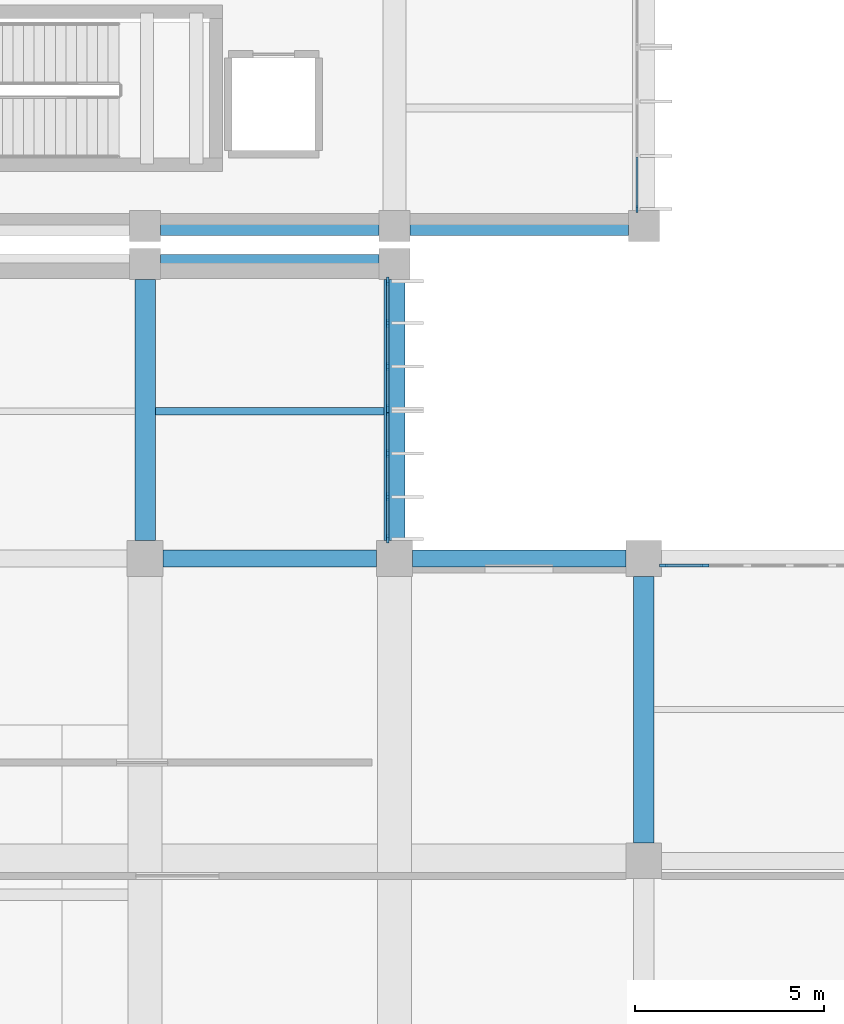
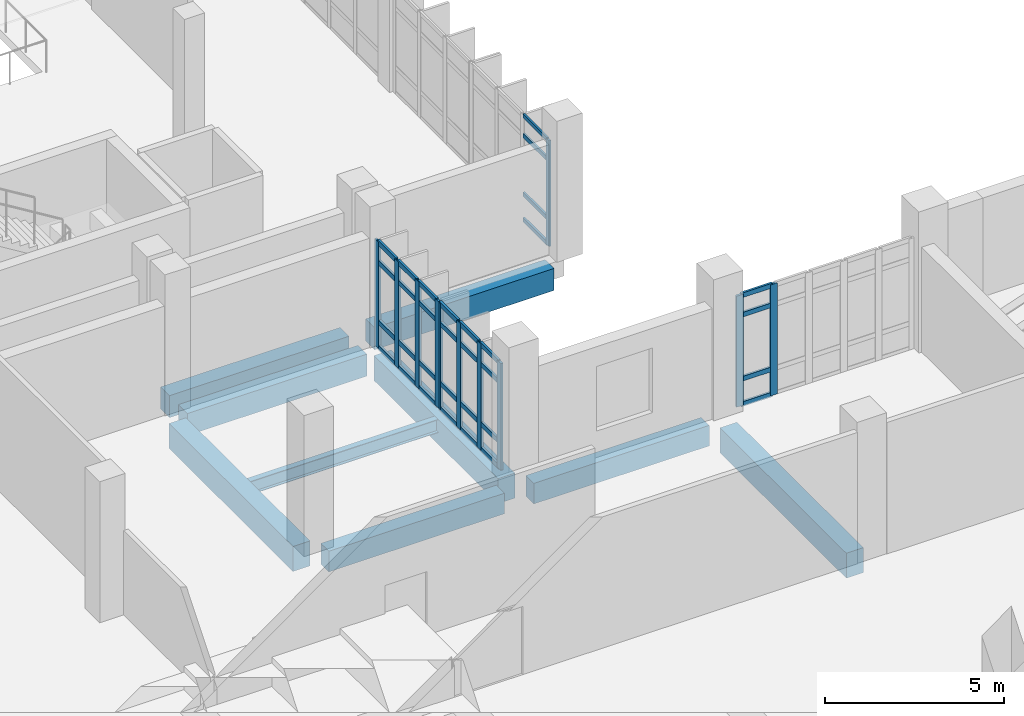
# One storey, part 35 of 90: 43 members, 9 beams, 4 elements without a shape of their own.
"""IFC4 building model written with IfcOpenShell, lengths in metres."""

from ifc_helpers import new_model, si_unit, direction, frame, origin, origin_2d, place, context, subcontext, project, spatial, rectangle, i_section, extrude, material, layer, layer_set, material_profile, profile_set, type_object, element, aggregate, save


model = new_model("IFC4")

# Units and contexts
model_context = context("Model", 3, precision=1e-05, world=origin(), true_north=direction((0.0, 1.0)))
body_context = subcontext(model_context, "Body", "Model", "MODEL_VIEW")
ifc_project = project(units=[si_unit("LENGTHUNIT", "METRE"), si_unit("AREAUNIT", "SQUARE_METRE"), si_unit("VOLUMEUNIT", "CUBIC_METRE"), si_unit("PLANEANGLEUNIT", "RADIAN"), si_unit("MASSUNIT", "GRAM", prefix="KILO")], contexts=[model_context])

# Site, building, storey
site_placement = place(None, origin())
site = spatial("IfcSite", under=ifc_project, at=site_placement, CompositionType="ELEMENT")
building_placement = place(site_placement, origin())
building = spatial("IfcBuilding", under=site, at=building_placement, Name="Kelarvand Opera House", CompositionType="ELEMENT")
storey_placement = place(building_placement, frame((0.0, 0.0, 5.39990234375)))
storey = spatial("IfcBuildingStorey", under=building, at=storey_placement, Name="L01", CompositionType="ELEMENT", Elevation=5.39990234375)

# Curtain wall, member
ifc_material_1 = material(Name="Thermally broken aluminium and low-E glazing", Category="aluminium")
ifc_layer_1 = layer(ifc_material_1, 0.179931640625, Name="Thermally broken aluminium and low-E glazing", Category="aluminium")
ifc_layer_set_1 = layer_set([ifc_layer_1], Name="Thermally broken aluminium and low-E glazing")
curtain_wall_type_1 = type_object("IfcCurtainWallType", Name="Unitised Low-E Curtain Wall 4318x3600 Mod 1450 CWF-43", PredefinedType="USERDEFINED", material=ifc_layer_set_1)
curtain_wall_1_placement = place(storey_placement, origin())
curtain_wall_1 = element("IfcCurtainWall", 1, at=curtain_wall_1_placement, inside=storey, type_object=curtain_wall_type_1, Name="V5 L01 Curtain Wall CWF-43 (179)", ObjectType="UNITISED CURTAIN WALL", PredefinedType="USERDEFINED")
ifc_material_2 = material(Name="Thermally broken anodised aluminium", Category="aluminium")
ifc_material_profile_1 = material_profile(ifc_material_2, rectangle(XDim=0.06494140625, YDim=0.179931640625, at=origin_2d()), Name="ALU MULLION 65x180", Category="aluminium")
ifc_profile_set_1 = profile_set([ifc_material_profile_1], Name="Thermally broken anodised aluminium")
member_type_1 = type_object("IfcMemberType", Name="Curtain Wall Mullion 65x180 Aluminium", PredefinedType="MULLION", material=ifc_profile_set_1)
member_1_placement = place(storey_placement, frame((135.02001953125, 87.652587890625, 0.0), z_axis=(0.0, 0.0, 1.0), x_axis=(1.0, 0.0, 0.0)))
member_1 = element("IfcMember", 2, at=member_1_placement, type_object=member_type_1, Name="CWF-43 mullion 4", PredefinedType="MULLION", context=body_context, shape_type="SweptSolid", body=[
    extrude(rectangle(XDim=0.06494140625, YDim=0.179931640625, at=origin_2d()), origin(), (0.0, 0.0, 1.0), 3.60009765625),
])

# Curtain wall, members
ifc_layer_2 = layer(ifc_material_1, 0.219970703125, Name="Thermally broken aluminium and low-E glazing", Category="aluminium")
ifc_layer_set_2 = layer_set([ifc_layer_2], Name="Thermally broken aluminium and low-E glazing")
curtain_wall_type_2 = type_object("IfcCurtainWallType", Name="Unitised Low-E Curtain Wall 3444x3630 Mod 1150 CWF-02", PredefinedType="USERDEFINED", material=ifc_layer_set_2)
curtain_wall_2_placement = place(storey_placement, origin())
curtain_wall_2 = element("IfcCurtainWall", 3, at=curtain_wall_2_placement, inside=storey, type_object=curtain_wall_type_2, Name="V1 L01 Curtain Wall CWF-02 (5)", ObjectType="UNITISED CURTAIN WALL", PredefinedType="USERDEFINED")
ifc_material_profile_2 = material_profile(ifc_material_2, rectangle(XDim=0.074951171875, YDim=0.219970703125, at=origin_2d()), Name="ALU MULLION 75x220", Category="aluminium")
ifc_profile_set_2 = profile_set([ifc_material_profile_2], Name="Thermally broken anodised aluminium")
member_type_2 = type_object("IfcMemberType", Name="Curtain Wall Mullion 75x220 Heavy Plaza", PredefinedType="MULLION", material=ifc_profile_set_2)
member_2_placement = place(storey_placement, frame((128.419921875, 85.742431640625, 0.0), z_axis=(0.0, 0.0, 1.0), x_axis=(1.0, 0.0, 0.0)))
member_2 = element("IfcMember", 4, at=member_2_placement, type_object=member_type_2, Name="CWF-02 mullion 1", PredefinedType="MULLION", context=body_context, shape_type="SweptSolid", body=[
    extrude(rectangle(XDim=0.074951171875, YDim=0.219970703125, at=origin_2d()), origin(), (0.0, 0.0, 1.0), 3.630126953125),
])
member_3_placement = place(storey_placement, frame((128.419921875, 84.632080078125, 0.0), z_axis=(0.0, 0.0, 1.0), x_axis=(1.0, 0.0, 0.0)))
member_3 = element("IfcMember", 5, at=member_3_placement, type_object=member_type_2, Name="CWF-02 mullion 2", PredefinedType="MULLION", context=body_context, shape_type="SweptSolid", body=[
    extrude(rectangle(XDim=0.074951171875, YDim=0.219970703125, at=origin_2d()), origin(), (0.0, 0.0, 1.0), 3.630126953125),
])
member_4_placement = place(storey_placement, frame((128.419921875, 83.484375, 0.0), z_axis=(0.0, 0.0, 1.0), x_axis=(1.0, 0.0, 0.0)))
member_4 = element("IfcMember", 6, at=member_4_placement, type_object=member_type_2, Name="CWF-02 mullion 3", PredefinedType="MULLION", context=body_context, shape_type="SweptSolid", body=[
    extrude(rectangle(XDim=0.074951171875, YDim=0.219970703125, at=origin_2d()), origin(), (0.0, 0.0, 1.0), 3.630126953125),
])
member_5_placement = place(storey_placement, frame((128.419921875, 82.3740234375, 0.0), z_axis=(0.0, 0.0, 1.0), x_axis=(1.0, 0.0, 0.0)))
member_5 = element("IfcMember", 7, at=member_5_placement, type_object=member_type_2, Name="CWF-02 mullion 4", PredefinedType="MULLION", context=body_context, shape_type="SweptSolid", body=[
    extrude(rectangle(XDim=0.074951171875, YDim=0.219970703125, at=origin_2d()), origin(), (0.0, 0.0, 1.0), 3.630126953125),
])

curtain_wall_3_placement = place(storey_placement, origin())
curtain_wall_3 = element("IfcCurtainWall", 8, at=curtain_wall_3_placement, inside=storey, type_object=curtain_wall_type_2, Name="V1 L01 Curtain Wall CWF-02 (6)", ObjectType="UNITISED CURTAIN WALL", PredefinedType="USERDEFINED")
member_6_placement = place(storey_placement, frame((128.419921875, 82.294921875, 0.0), z_axis=(0.0, 0.0, 1.0), x_axis=(1.0, 0.0, 0.0)))
member_6 = element("IfcMember", 9, at=member_6_placement, type_object=member_type_2, Name="CWF-02 mullion 1", PredefinedType="MULLION", context=body_context, shape_type="SweptSolid", body=[
    extrude(rectangle(XDim=0.074951171875, YDim=0.219970703125, at=origin_2d()), origin(), (0.0, 0.0, 1.0), 3.630126953125),
])
member_7_placement = place(storey_placement, frame((128.419921875, 81.183349609375, 0.0), z_axis=(0.0, 0.0, 1.0), x_axis=(1.0, 0.0, 0.0)))
member_7 = element("IfcMember", 10, at=member_7_placement, type_object=member_type_2, Name="CWF-02 mullion 2", PredefinedType="MULLION", context=body_context, shape_type="SweptSolid", body=[
    extrude(rectangle(XDim=0.074951171875, YDim=0.219970703125, at=origin_2d()), origin(), (0.0, 0.0, 1.0), 3.630126953125),
])
member_8_placement = place(storey_placement, frame((128.419921875, 80.0341796875, 0.0), z_axis=(0.0, 0.0, 1.0), x_axis=(1.0, 0.0, 0.0)))
member_8 = element("IfcMember", 11, at=member_8_placement, type_object=member_type_2, Name="CWF-02 mullion 3", PredefinedType="MULLION", context=body_context, shape_type="SweptSolid", body=[
    extrude(rectangle(XDim=0.074951171875, YDim=0.219970703125, at=origin_2d()), origin(), (0.0, 0.0, 1.0), 3.630126953125),
])
member_9_placement = place(storey_placement, frame((128.419921875, 78.922607421875, 0.0), z_axis=(0.0, 0.0, 1.0), x_axis=(1.0, 0.0, 0.0)))
member_9 = element("IfcMember", 12, at=member_9_placement, type_object=member_type_2, Name="CWF-02 mullion 4", PredefinedType="MULLION", context=body_context, shape_type="SweptSolid", body=[
    extrude(rectangle(XDim=0.074951171875, YDim=0.219970703125, at=origin_2d()), origin(), (0.0, 0.0, 1.0), 3.630126953125),
])

ifc_layer_3 = layer(ifc_material_1, 0.219970703125, Name="Thermally broken aluminium and low-E glazing", Category="aluminium")
ifc_layer_set_3 = layer_set([ifc_layer_3], Name="Thermally broken aluminium and low-E glazing")
curtain_wall_type_3 = type_object("IfcCurtainWallType", Name="Unitised Low-E Curtain Wall 5630x3780 Mod 1150 CWF-03", PredefinedType="USERDEFINED", material=ifc_layer_set_3)
curtain_wall_4_placement = place(storey_placement, origin())
curtain_wall_4 = element("IfcCurtainWall", 13, at=curtain_wall_4_placement, inside=storey, type_object=curtain_wall_type_3, Name="V1 L01 Curtain Wall CWF-03 (7)", ObjectType="UNITISED CURTAIN WALL", PredefinedType="USERDEFINED")
member_10_placement = place(storey_placement, frame((135.722412109375, 78.219970703125, 0.0), z_axis=(0.0, 0.0, 1.0), x_axis=(0.0, 1.0, 0.0)))
member_10 = element("IfcMember", 14, at=member_10_placement, type_object=member_type_2, Name="CWF-03 mullion 1", PredefinedType="MULLION", context=body_context, shape_type="SweptSolid", body=[
    extrude(rectangle(XDim=0.074951171875, YDim=0.219970703125, at=origin_2d()), origin(), (0.0, 0.0, 1.0), 3.780029296875),
])
member_11_placement = place(storey_placement, frame((136.81103515625, 78.219970703125, 0.0), z_axis=(0.0, 0.0, 1.0), x_axis=(0.0, 1.0, 0.0)))
member_11 = element("IfcMember", 15, at=member_11_placement, type_object=member_type_2, Name="CWF-03 mullion 2", PredefinedType="MULLION", context=body_context, shape_type="SweptSolid", body=[
    extrude(rectangle(XDim=0.074951171875, YDim=0.219970703125, at=origin_2d()), origin(), (0.0, 0.0, 1.0), 3.780029296875),
])

# Member
ifc_material_profile_3 = material_profile(ifc_material_2, rectangle(XDim=0.06494140625, YDim=0.139892578125, at=origin_2d()), Name="ALU TRANSOM 65x140", Category="aluminium")
ifc_profile_set_3 = profile_set([ifc_material_profile_3], Name="Thermally broken anodised aluminium")
member_type_3 = type_object("IfcMemberType", Name="Curtain Wall Transom 65x140 Aluminium", PredefinedType="USERDEFINED", material=ifc_profile_set_3)
member_12_placement = place(storey_placement, frame((135.02001953125, 89.0283203125, 0.03271484375), z_axis=(0.0, -1.0, 0.0), x_axis=(1.0, 0.0, 0.0)))
member_12 = element("IfcMember", 16, at=member_12_placement, type_object=member_type_3, Name="CWF-43 transom 3.1", ObjectType="TRANSOM", PredefinedType="USERDEFINED", context=body_context, shape_type="SweptSolid", body=[
    extrude(rectangle(XDim=0.06494140625, YDim=0.139892578125, at=origin_2d()), origin(), (0.0, 0.0, 1.0), 1.34326171875),
])

member_13_placement = place(storey_placement, frame((135.02001953125, 89.0283203125, 0.900146484375), z_axis=(0.0, -1.0, 0.0), x_axis=(1.0, 0.0, 0.0)))
member_13 = element("IfcMember", 17, at=member_13_placement, type_object=member_type_3, Name="CWF-43 transom 3.2", ObjectType="TRANSOM", PredefinedType="USERDEFINED", context=body_context, shape_type="SweptSolid", body=[
    extrude(rectangle(XDim=0.06494140625, YDim=0.139892578125, at=origin_2d()), origin(), (0.0, 0.0, 1.0), 1.34326171875),
])

member_14_placement = place(storey_placement, frame((135.02001953125, 89.0283203125, 2.900146484375), z_axis=(0.0, -1.0, 0.0), x_axis=(1.0, 0.0, 0.0)))
member_14 = element("IfcMember", 18, at=member_14_placement, type_object=member_type_3, Name="CWF-43 transom 3.3", ObjectType="TRANSOM", PredefinedType="USERDEFINED", context=body_context, shape_type="SweptSolid", body=[
    extrude(rectangle(XDim=0.06494140625, YDim=0.139892578125, at=origin_2d()), origin(), (0.0, 0.0, 1.0), 1.34326171875),
])

member_15_placement = place(storey_placement, frame((135.02001953125, 89.0283203125, 3.567626953125), z_axis=(0.0, -1.0, 0.0), x_axis=(1.0, 0.0, 0.0)))
member_15 = element("IfcMember", 19, at=member_15_placement, type_object=member_type_3, Name="CWF-43 transom 3.4", ObjectType="TRANSOM", PredefinedType="USERDEFINED", context=body_context, shape_type="SweptSolid", body=[
    extrude(rectangle(XDim=0.06494140625, YDim=0.139892578125, at=origin_2d()), origin(), (0.0, 0.0, 1.0), 1.34326171875),
])

aggregate(curtain_wall_1, [member_1, member_12, member_13, member_14, member_15])

ifc_material_profile_4 = material_profile(ifc_material_2, rectangle(XDim=0.074951171875, YDim=0.159912109375, at=origin_2d()), Name="ALU TRANSOM 75x160", Category="aluminium")
ifc_profile_set_4 = profile_set([ifc_material_profile_4], Name="Thermally broken anodised aluminium")
member_type_4 = type_object("IfcMemberType", Name="Curtain Wall Transom 75x160 Heavy Plaza", PredefinedType="USERDEFINED", material=ifc_profile_set_4)
member_16_placement = place(storey_placement, frame((128.419921875, 85.705078125, 0.03759765625), z_axis=(0.0, -1.0, 0.0), x_axis=(1.0, 0.0, 0.0)))
member_16 = element("IfcMember", 20, at=member_16_placement, type_object=member_type_4, Name="CWF-02 transom 1.1", ObjectType="TRANSOM", PredefinedType="USERDEFINED", context=body_context, shape_type="SweptSolid", body=[
    extrude(rectangle(XDim=0.074951171875, YDim=0.159912109375, at=origin_2d()), origin(), (0.0, 0.0, 1.0), 1.035400390625),
])

member_17_placement = place(storey_placement, frame((128.419921875, 85.705078125, 0.900146484375), z_axis=(0.0, -1.0, 0.0), x_axis=(1.0, 0.0, 0.0)))
member_17 = element("IfcMember", 21, at=member_17_placement, type_object=member_type_4, Name="CWF-02 transom 1.2", ObjectType="TRANSOM", PredefinedType="USERDEFINED", context=body_context, shape_type="SweptSolid", body=[
    extrude(rectangle(XDim=0.074951171875, YDim=0.159912109375, at=origin_2d()), origin(), (0.0, 0.0, 1.0), 1.035400390625),
])

member_18_placement = place(storey_placement, frame((128.419921875, 85.705078125, 2.93017578125), z_axis=(0.0, -1.0, 0.0), x_axis=(1.0, 0.0, 0.0)))
member_18 = element("IfcMember", 22, at=member_18_placement, type_object=member_type_4, Name="CWF-02 transom 1.3", ObjectType="TRANSOM", PredefinedType="USERDEFINED", context=body_context, shape_type="SweptSolid", body=[
    extrude(rectangle(XDim=0.074951171875, YDim=0.159912109375, at=origin_2d()), origin(), (0.0, 0.0, 1.0), 1.035400390625),
])

member_19_placement = place(storey_placement, frame((128.419921875, 85.705078125, 3.592529296875), z_axis=(0.0, -1.0, 0.0), x_axis=(1.0, 0.0, 0.0)))
member_19 = element("IfcMember", 23, at=member_19_placement, type_object=member_type_4, Name="CWF-02 transom 1.4", ObjectType="TRANSOM", PredefinedType="USERDEFINED", context=body_context, shape_type="SweptSolid", body=[
    extrude(rectangle(XDim=0.074951171875, YDim=0.159912109375, at=origin_2d()), origin(), (0.0, 0.0, 1.0), 1.035400390625),
])

member_20_placement = place(storey_placement, frame((128.419921875, 84.5947265625, 0.03759765625), z_axis=(0.0, -1.0, 0.0), x_axis=(1.0, 0.0, 0.0)))
member_20 = element("IfcMember", 24, at=member_20_placement, type_object=member_type_4, Name="CWF-02 transom 2.1", ObjectType="TRANSOM", PredefinedType="USERDEFINED", context=body_context, shape_type="SweptSolid", body=[
    extrude(rectangle(XDim=0.074951171875, YDim=0.159912109375, at=origin_2d()), origin(), (0.0, 0.0, 1.0), 1.072998046875),
])

member_21_placement = place(storey_placement, frame((128.419921875, 84.5947265625, 0.900146484375), z_axis=(0.0, -1.0, 0.0), x_axis=(1.0, 0.0, 0.0)))
member_21 = element("IfcMember", 25, at=member_21_placement, type_object=member_type_4, Name="CWF-02 transom 2.2", ObjectType="TRANSOM", PredefinedType="USERDEFINED", context=body_context, shape_type="SweptSolid", body=[
    extrude(rectangle(XDim=0.074951171875, YDim=0.159912109375, at=origin_2d()), origin(), (0.0, 0.0, 1.0), 1.072998046875),
])

member_22_placement = place(storey_placement, frame((128.419921875, 84.5947265625, 2.93017578125), z_axis=(0.0, -1.0, 0.0), x_axis=(1.0, 0.0, 0.0)))
member_22 = element("IfcMember", 26, at=member_22_placement, type_object=member_type_4, Name="CWF-02 transom 2.3", ObjectType="TRANSOM", PredefinedType="USERDEFINED", context=body_context, shape_type="SweptSolid", body=[
    extrude(rectangle(XDim=0.074951171875, YDim=0.159912109375, at=origin_2d()), origin(), (0.0, 0.0, 1.0), 1.072998046875),
])

member_23_placement = place(storey_placement, frame((128.419921875, 84.5947265625, 3.592529296875), z_axis=(0.0, -1.0, 0.0), x_axis=(1.0, 0.0, 0.0)))
member_23 = element("IfcMember", 27, at=member_23_placement, type_object=member_type_4, Name="CWF-02 transom 2.4", ObjectType="TRANSOM", PredefinedType="USERDEFINED", context=body_context, shape_type="SweptSolid", body=[
    extrude(rectangle(XDim=0.074951171875, YDim=0.159912109375, at=origin_2d()), origin(), (0.0, 0.0, 1.0), 1.072998046875),
])

member_24_placement = place(storey_placement, frame((128.419921875, 83.44677734375, 0.03759765625), z_axis=(0.0, -1.0, 0.0), x_axis=(1.0, 0.0, 0.0)))
member_24 = element("IfcMember", 28, at=member_24_placement, type_object=member_type_4, Name="CWF-02 transom 3.1", ObjectType="TRANSOM", PredefinedType="USERDEFINED", context=body_context, shape_type="SweptSolid", body=[
    extrude(rectangle(XDim=0.074951171875, YDim=0.159912109375, at=origin_2d()), origin(), (0.0, 0.0, 1.0), 1.03515625),
])

member_25_placement = place(storey_placement, frame((128.419921875, 83.44677734375, 0.900146484375), z_axis=(0.0, -1.0, 0.0), x_axis=(1.0, 0.0, 0.0)))
member_25 = element("IfcMember", 29, at=member_25_placement, type_object=member_type_4, Name="CWF-02 transom 3.2", ObjectType="TRANSOM", PredefinedType="USERDEFINED", context=body_context, shape_type="SweptSolid", body=[
    extrude(rectangle(XDim=0.074951171875, YDim=0.159912109375, at=origin_2d()), origin(), (0.0, 0.0, 1.0), 1.03515625),
])

member_26_placement = place(storey_placement, frame((128.419921875, 83.44677734375, 2.93017578125), z_axis=(0.0, -1.0, 0.0), x_axis=(1.0, 0.0, 0.0)))
member_26 = element("IfcMember", 30, at=member_26_placement, type_object=member_type_4, Name="CWF-02 transom 3.3", ObjectType="TRANSOM", PredefinedType="USERDEFINED", context=body_context, shape_type="SweptSolid", body=[
    extrude(rectangle(XDim=0.074951171875, YDim=0.159912109375, at=origin_2d()), origin(), (0.0, 0.0, 1.0), 1.03515625),
])

member_27_placement = place(storey_placement, frame((128.419921875, 83.44677734375, 3.592529296875), z_axis=(0.0, -1.0, 0.0), x_axis=(1.0, 0.0, 0.0)))
member_27 = element("IfcMember", 31, at=member_27_placement, type_object=member_type_4, Name="CWF-02 transom 3.4", ObjectType="TRANSOM", PredefinedType="USERDEFINED", context=body_context, shape_type="SweptSolid", body=[
    extrude(rectangle(XDim=0.074951171875, YDim=0.159912109375, at=origin_2d()), origin(), (0.0, 0.0, 1.0), 1.03515625),
])

aggregate(curtain_wall_2, [member_2, member_3, member_4, member_5, member_16, member_17, member_18, member_19, member_20, member_21, member_22, member_23, member_24, member_25, member_26, member_27])

member_28_placement = place(storey_placement, frame((128.419921875, 82.257568359375, 0.03759765625), z_axis=(0.0, -1.0, 0.0), x_axis=(1.0, 0.0, 0.0)))
member_28 = element("IfcMember", 32, at=member_28_placement, type_object=member_type_4, Name="CWF-02 transom 1.1", ObjectType="TRANSOM", PredefinedType="USERDEFINED", context=body_context, shape_type="SweptSolid", body=[
    extrude(rectangle(XDim=0.074951171875, YDim=0.159912109375, at=origin_2d()), origin(), (0.0, 0.0, 1.0), 1.03662109375),
])

member_29_placement = place(storey_placement, frame((128.419921875, 82.257568359375, 0.900146484375), z_axis=(0.0, -1.0, 0.0), x_axis=(1.0, 0.0, 0.0)))
member_29 = element("IfcMember", 33, at=member_29_placement, type_object=member_type_4, Name="CWF-02 transom 1.2", ObjectType="TRANSOM", PredefinedType="USERDEFINED", context=body_context, shape_type="SweptSolid", body=[
    extrude(rectangle(XDim=0.074951171875, YDim=0.159912109375, at=origin_2d()), origin(), (0.0, 0.0, 1.0), 1.03662109375),
])

member_30_placement = place(storey_placement, frame((128.419921875, 82.257568359375, 2.93017578125), z_axis=(0.0, -1.0, 0.0), x_axis=(1.0, 0.0, 0.0)))
member_30 = element("IfcMember", 34, at=member_30_placement, type_object=member_type_4, Name="CWF-02 transom 1.3", ObjectType="TRANSOM", PredefinedType="USERDEFINED", context=body_context, shape_type="SweptSolid", body=[
    extrude(rectangle(XDim=0.074951171875, YDim=0.159912109375, at=origin_2d()), origin(), (0.0, 0.0, 1.0), 1.03662109375),
])

member_31_placement = place(storey_placement, frame((128.419921875, 82.257568359375, 3.592529296875), z_axis=(0.0, -1.0, 0.0), x_axis=(1.0, 0.0, 0.0)))
member_31 = element("IfcMember", 35, at=member_31_placement, type_object=member_type_4, Name="CWF-02 transom 1.4", ObjectType="TRANSOM", PredefinedType="USERDEFINED", context=body_context, shape_type="SweptSolid", body=[
    extrude(rectangle(XDim=0.074951171875, YDim=0.159912109375, at=origin_2d()), origin(), (0.0, 0.0, 1.0), 1.03662109375),
])

member_32_placement = place(storey_placement, frame((128.419921875, 81.145751953125, 0.03759765625), z_axis=(0.0, -1.0, 0.0), x_axis=(1.0, 0.0, 0.0)))
member_32 = element("IfcMember", 36, at=member_32_placement, type_object=member_type_4, Name="CWF-02 transom 2.1", ObjectType="TRANSOM", PredefinedType="USERDEFINED", context=body_context, shape_type="SweptSolid", body=[
    extrude(rectangle(XDim=0.074951171875, YDim=0.159912109375, at=origin_2d()), origin(), (0.0, 0.0, 1.0), 1.073974609375),
])

member_33_placement = place(storey_placement, frame((128.419921875, 81.145751953125, 0.900146484375), z_axis=(0.0, -1.0, 0.0), x_axis=(1.0, 0.0, 0.0)))
member_33 = element("IfcMember", 37, at=member_33_placement, type_object=member_type_4, Name="CWF-02 transom 2.2", ObjectType="TRANSOM", PredefinedType="USERDEFINED", context=body_context, shape_type="SweptSolid", body=[
    extrude(rectangle(XDim=0.074951171875, YDim=0.159912109375, at=origin_2d()), origin(), (0.0, 0.0, 1.0), 1.073974609375),
])

member_34_placement = place(storey_placement, frame((128.419921875, 81.145751953125, 2.93017578125), z_axis=(0.0, -1.0, 0.0), x_axis=(1.0, 0.0, 0.0)))
member_34 = element("IfcMember", 38, at=member_34_placement, type_object=member_type_4, Name="CWF-02 transom 2.3", ObjectType="TRANSOM", PredefinedType="USERDEFINED", context=body_context, shape_type="SweptSolid", body=[
    extrude(rectangle(XDim=0.074951171875, YDim=0.159912109375, at=origin_2d()), origin(), (0.0, 0.0, 1.0), 1.073974609375),
])

member_35_placement = place(storey_placement, frame((128.419921875, 81.145751953125, 3.592529296875), z_axis=(0.0, -1.0, 0.0), x_axis=(1.0, 0.0, 0.0)))
member_35 = element("IfcMember", 39, at=member_35_placement, type_object=member_type_4, Name="CWF-02 transom 2.4", ObjectType="TRANSOM", PredefinedType="USERDEFINED", context=body_context, shape_type="SweptSolid", body=[
    extrude(rectangle(XDim=0.074951171875, YDim=0.159912109375, at=origin_2d()), origin(), (0.0, 0.0, 1.0), 1.073974609375),
])

member_36_placement = place(storey_placement, frame((128.419921875, 79.99658203125, 0.03759765625), z_axis=(0.0, -1.0, 0.0), x_axis=(1.0, 0.0, 0.0)))
member_36 = element("IfcMember", 40, at=member_36_placement, type_object=member_type_4, Name="CWF-02 transom 3.1", ObjectType="TRANSOM", PredefinedType="USERDEFINED", context=body_context, shape_type="SweptSolid", body=[
    extrude(rectangle(XDim=0.074951171875, YDim=0.159912109375, at=origin_2d()), origin(), (0.0, 0.0, 1.0), 1.03662109375),
])

member_37_placement = place(storey_placement, frame((128.419921875, 79.99658203125, 0.900146484375), z_axis=(0.0, -1.0, 0.0), x_axis=(1.0, 0.0, 0.0)))
member_37 = element("IfcMember", 41, at=member_37_placement, type_object=member_type_4, Name="CWF-02 transom 3.2", ObjectType="TRANSOM", PredefinedType="USERDEFINED", context=body_context, shape_type="SweptSolid", body=[
    extrude(rectangle(XDim=0.074951171875, YDim=0.159912109375, at=origin_2d()), origin(), (0.0, 0.0, 1.0), 1.03662109375),
])

member_38_placement = place(storey_placement, frame((128.419921875, 79.99658203125, 2.93017578125), z_axis=(0.0, -1.0, 0.0), x_axis=(1.0, 0.0, 0.0)))
member_38 = element("IfcMember", 42, at=member_38_placement, type_object=member_type_4, Name="CWF-02 transom 3.3", ObjectType="TRANSOM", PredefinedType="USERDEFINED", context=body_context, shape_type="SweptSolid", body=[
    extrude(rectangle(XDim=0.074951171875, YDim=0.159912109375, at=origin_2d()), origin(), (0.0, 0.0, 1.0), 1.03662109375),
])

member_39_placement = place(storey_placement, frame((128.419921875, 79.99658203125, 3.592529296875), z_axis=(0.0, -1.0, 0.0), x_axis=(1.0, 0.0, 0.0)))
member_39 = element("IfcMember", 43, at=member_39_placement, type_object=member_type_4, Name="CWF-02 transom 3.4", ObjectType="TRANSOM", PredefinedType="USERDEFINED", context=body_context, shape_type="SweptSolid", body=[
    extrude(rectangle(XDim=0.074951171875, YDim=0.159912109375, at=origin_2d()), origin(), (0.0, 0.0, 1.0), 1.03662109375),
])

aggregate(curtain_wall_3, [member_6, member_7, member_8, member_9, member_28, member_29, member_30, member_31, member_32, member_33, member_34, member_35, member_36, member_37, member_38, member_39])

member_40_placement = place(storey_placement, frame((135.760009765625, 78.219970703125, 0.03759765625), z_axis=(1.0, 0.0, 0.0), x_axis=(0.0, 1.0, 0.0)))
member_40 = element("IfcMember", 44, at=member_40_placement, type_object=member_type_4, Name="CWF-03 transom 1.1", ObjectType="TRANSOM", PredefinedType="USERDEFINED", context=body_context, shape_type="SweptSolid", body=[
    extrude(rectangle(XDim=0.074951171875, YDim=0.159912109375, at=origin_2d()), origin(), (0.0, 0.0, 1.0), 1.013427734375),
])

member_41_placement = place(storey_placement, frame((135.760009765625, 78.219970703125, 0.900146484375), z_axis=(1.0, 0.0, 0.0), x_axis=(0.0, 1.0, 0.0)))
member_41 = element("IfcMember", 45, at=member_41_placement, type_object=member_type_4, Name="CWF-03 transom 1.2", ObjectType="TRANSOM", PredefinedType="USERDEFINED", context=body_context, shape_type="SweptSolid", body=[
    extrude(rectangle(XDim=0.074951171875, YDim=0.159912109375, at=origin_2d()), origin(), (0.0, 0.0, 1.0), 1.013427734375),
])

member_42_placement = place(storey_placement, frame((135.760009765625, 78.219970703125, 3.080078125), z_axis=(1.0, 0.0, 0.0), x_axis=(0.0, 1.0, 0.0)))
member_42 = element("IfcMember", 46, at=member_42_placement, type_object=member_type_4, Name="CWF-03 transom 1.3", ObjectType="TRANSOM", PredefinedType="USERDEFINED", context=body_context, shape_type="SweptSolid", body=[
    extrude(rectangle(XDim=0.074951171875, YDim=0.159912109375, at=origin_2d()), origin(), (0.0, 0.0, 1.0), 1.013427734375),
])

member_43_placement = place(storey_placement, frame((135.760009765625, 78.219970703125, 3.74267578125), z_axis=(1.0, 0.0, 0.0), x_axis=(0.0, 1.0, 0.0)))
member_43 = element("IfcMember", 47, at=member_43_placement, type_object=member_type_4, Name="CWF-03 transom 1.4", ObjectType="TRANSOM", PredefinedType="USERDEFINED", context=body_context, shape_type="SweptSolid", body=[
    extrude(rectangle(XDim=0.074951171875, YDim=0.159912109375, at=origin_2d()), origin(), (0.0, 0.0, 1.0), 1.013427734375),
])

aggregate(curtain_wall_4, [member_10, member_11, member_40, member_41, member_42, member_43])

# Beams
ifc_material_3 = material(Name="Concrete C40/50", Category="concrete")
ifc_material_profile_5 = material_profile(ifc_material_3, rectangle(XDim=0.449951171875, YDim=0.699951171875, at=origin_2d()), Name="RC 450x700", Category="concrete")
ifc_profile_set_5 = profile_set([ifc_material_profile_5], Name="Concrete C40/50")
beam_type_1 = type_object("IfcBeamType", Name="Structural Beam RC 450x700 BM-RC450x700", PredefinedType="BEAM", material=ifc_profile_set_5)
beam_1_placement = place(storey_placement, frame((122.47509765625, 78.39990234375, -0.64990234375), z_axis=(1.0, 0.0, 0.0), x_axis=(0.0, 1.0, 0.0)))
element("IfcBeam", 48, at=beam_1_placement, inside=storey, type_object=beam_type_1, Name="V1 L01 Beam BM-RC450x700", PredefinedType="BEAM", context=body_context, shape_type="SweptSolid", body=[
    extrude(rectangle(XDim=0.449951171875, YDim=0.699951171875, at=origin_2d()), origin(), (0.0, 0.0, 1.0), 5.64990234375),
])
beam_2_placement = place(storey_placement, frame((129.074951171875, 78.39990234375, -0.64990234375), z_axis=(1.0, 0.0, 0.0), x_axis=(0.0, 1.0, 0.0)))
element("IfcBeam", 49, at=beam_2_placement, inside=storey, type_object=beam_type_1, Name="V1 L01 Beam BM-RC450x700", PredefinedType="BEAM", context=body_context, shape_type="SweptSolid", body=[
    extrude(rectangle(XDim=0.449951171875, YDim=0.699951171875, at=origin_2d()), origin(), (0.0, 0.0, 1.0), 5.650146484375),
])
ifc_material_profile_6 = material_profile(ifc_material_3, rectangle(XDim=0.550048828125, YDim=0.85009765625, at=origin_2d()), Name="RC 550x850", Category="concrete")
ifc_profile_set_6 = profile_set([ifc_material_profile_6], Name="Concrete C40/50")
beam_type_2 = type_object("IfcBeamType", Name="Structural Beam RC 550x850 BM-RC550x850", PredefinedType="BEAM", material=ifc_profile_set_6)
for number, where, z_axis, x_axis, name in (
    (50, (122.0, 78.875, -0.724853515625), (0.0, 1.0, 0.0), (-1.0, 0.0, 0.0), "V1 L01 Beam BM-RC550x850"),
    (51, (128.60009765625, 78.875, -0.724853515625), (0.0, 1.0, 0.0), (-1.0, 0.0, 0.0), "V1 L01 Beam BM-RC550x850"),
):
    element("IfcBeam", number, at=place(storey_placement, frame(where, z_axis=z_axis, x_axis=x_axis)), inside=storey, type_object=beam_type_2, Name=name, PredefinedType="BEAM", context=body_context, shape_type="SweptSolid", body=[
        extrude(rectangle(XDim=0.550048828125, YDim=0.85009765625, at=origin_2d()), origin(), (0.0, 0.0, 1.0), 6.9150390625),
    ])
beam_3_placement = place(storey_placement, frame((135.199951171875, 70.875, -0.724853515625), z_axis=(0.0, 1.0, 0.0), x_axis=(-1.0, 0.0, 0.0)))
element("IfcBeam", 52, at=beam_3_placement, inside=storey, type_object=beam_type_2, Name="V1 L01 Beam BM-RC550x850", PredefinedType="BEAM", context=body_context, shape_type="SweptSolid", body=[
    extrude(rectangle(XDim=0.550048828125, YDim=0.85009765625, at=origin_2d()), origin(), (0.0, 0.0, 1.0), 7.050048828125),
])
ifc_material_4 = material(Name="Steel S355", Category="steel")
ifc_material_profile_7 = material_profile(ifc_material_4, i_section(OverallWidth=0.18994140625, OverallDepth=0.449951171875, WebThickness=0.009521484375, FlangeThickness=0.0146484375, at=origin_2d()), Name="IPE 450", Category="steel")
ifc_profile_set_7 = profile_set([ifc_material_profile_7], Name="Steel S355")
beam_type_3 = type_object("IfcBeamType", Name="Structural Joist IPE 450 JS-IPE450", PredefinedType="JOIST", material=ifc_profile_set_7)
beam_4_placement = place(storey_placement, frame((122.27490234375, 82.300048828125, -0.52490234375), z_axis=(1.0, 0.0, 0.0), x_axis=(0.0, 1.0, 0.0)))
element("IfcBeam", 53, at=beam_4_placement, inside=storey, type_object=beam_type_3, Name="V1 L01 Beam JS-IPE450", PredefinedType="JOIST", context=body_context, shape_type="SweptSolid", body=[
    extrude(i_section(OverallWidth=0.18994140625, OverallDepth=0.449951171875, WebThickness=0.009521484375, FlangeThickness=0.0146484375, at=origin_2d()), origin(), (0.0, 0.0, 1.0), 6.050048828125),
])
ifc_material_profile_8 = material_profile(ifc_material_3, rectangle(XDim=0.5, YDim=0.75, at=origin_2d()), Name="RC 500x750", Category="concrete")
ifc_profile_set_8 = profile_set([ifc_material_profile_8], Name="Concrete C40/50")
beam_type_4 = type_object("IfcBeamType", Name="Structural Spandrel RC 500x750 SP-RC500x750E", PredefinedType="SPANDREL", material=ifc_profile_set_8)
for number, where, z_axis, x_axis, name in (
    (54, (122.409912109375, 86.199951171875, -0.6748046875), (1.0, 0.0, 0.0), (0.0, 1.0, 0.0), "V1 L01 Beam SP-RC500x750E"),
    (55, (122.409912109375, 87.199951171875, -0.6748046875), (1.0, 0.0, 0.0), (0.0, 1.0, 0.0), "V5 L01 Beam SP-RC500x750E"),
    (56, (129.010009765625, 87.199951171875, -0.6748046875), (1.0, 0.0, 0.0), (0.0, 1.0, 0.0), "V5 L01 Beam SP-RC500x750E"),
):
    element("IfcBeam", number, at=place(storey_placement, frame(where, z_axis=z_axis, x_axis=x_axis)), inside=storey, type_object=beam_type_4, Name=name, PredefinedType="SPANDREL", context=body_context, shape_type="SweptSolid", body=[
        extrude(rectangle(XDim=0.5, YDim=0.75, at=origin_2d()), origin(), (0.0, 0.0, 1.0), 5.780029296875),
    ])

save(model, "model.ifc")
